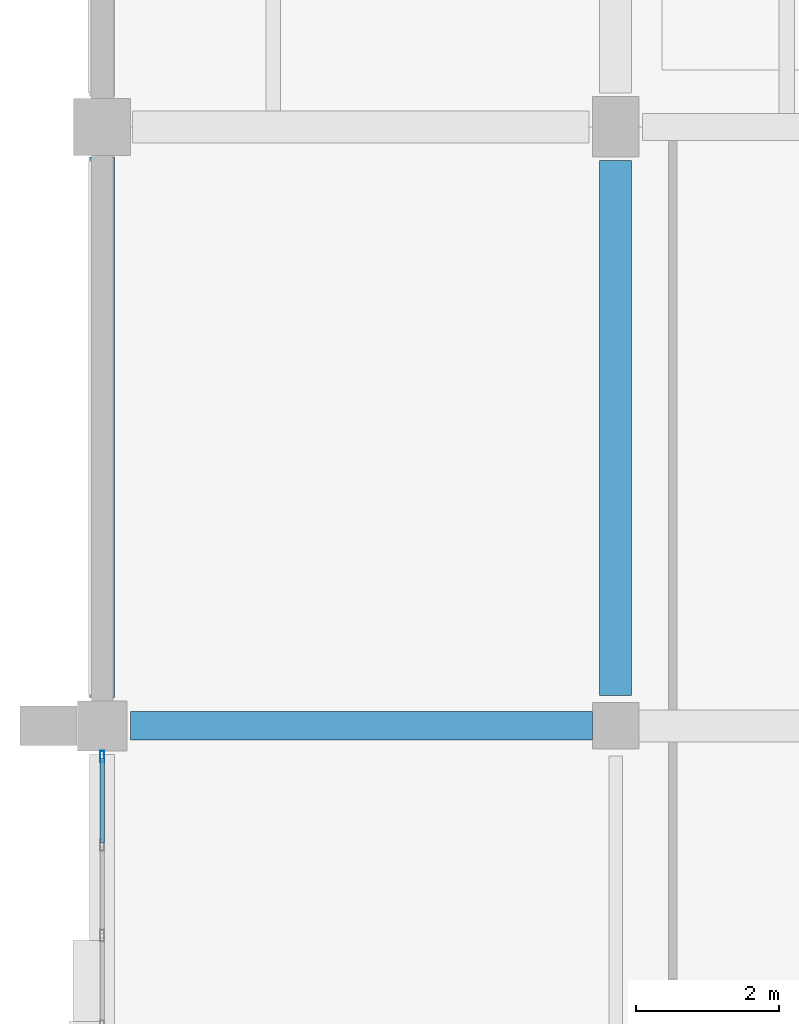
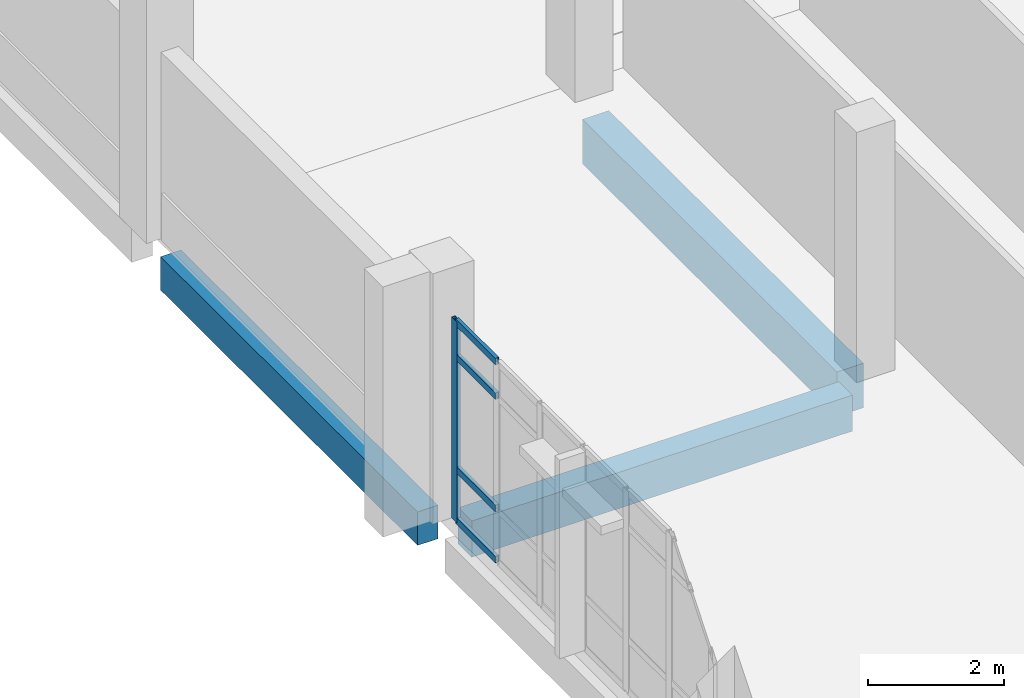
# One storey, part 59 of 124: 5 members, 3 beams, 1 element without a shape of its own.
"""IFC4 building model written with IfcOpenShell, lengths in metres."""

from ifc_helpers import new_model, si_unit, direction, frame, origin, origin_2d, place, context, subcontext, project, spatial, rectangle, hollow_rectangle, extrude, material, material_profile, profile_set, type_object, element, aggregate, save


model = new_model("IFC4")

# Units and contexts
model_context = context("Model", 3, precision=1e-05, world=origin(), true_north=direction((0.0, 1.0)))
body_context = subcontext(model_context, "Body", "Model", "MODEL_VIEW")
ifc_project = project(units=[si_unit("LENGTHUNIT", "METRE"), si_unit("AREAUNIT", "SQUARE_METRE"), si_unit("VOLUMEUNIT", "CUBIC_METRE"), si_unit("PLANEANGLEUNIT", "RADIAN"), si_unit("MASSUNIT", "GRAM", prefix="KILO")], contexts=[model_context])

# Site, building, storey
site_placement = place(None, origin())
site = spatial("IfcSite", under=ifc_project, at=site_placement, CompositionType="ELEMENT")
building_placement = place(site_placement, origin())
building = spatial("IfcBuilding", under=site, at=building_placement, Name="Kalluvel Institute of Natural Sciences", CompositionType="ELEMENT")
storey_placement = place(building_placement, frame((0.0, 0.0, 9.89990234375)))
storey = spatial("IfcBuildingStorey", under=building, at=storey_placement, Name="L02", CompositionType="ELEMENT", Elevation=9.89990234375)

# Beams
ifc_material_1 = material(Name="Concrete M40", Category="concrete")
ifc_material_profile_1 = material_profile(ifc_material_1, rectangle(XDim=0.39990234375, YDim=0.64990234375, at=origin_2d()), Name="RCB 400x650")
ifc_profile_set_1 = profile_set([ifc_material_profile_1], Name="Concrete M40")
beam_type_1 = type_object("IfcBeamType", Name="BM-RC400x650", PredefinedType="BEAM", material=ifc_profile_set_1)
beam_1_placement = place(storey_placement, frame((14.39990234375, 94.39990234375, -0.625), z_axis=(1.0, 0.0, 0.0), x_axis=(0.0, 1.0, 0.0)))
element("IfcBeam", 1, at=beam_1_placement, inside=storey, type_object=beam_type_1, Name="L02 girder GIR-L02-EW-X140-Y944", PredefinedType="BEAM", context=body_context, shape_type="SweptSolid", body=[
    extrude(rectangle(XDim=0.39990234375, YDim=0.64990234375, at=origin_2d()), origin(), (0.0, 0.0, 1.0), 6.47509765625),
])
ifc_material_profile_2 = material_profile(ifc_material_1, rectangle(XDim=0.449951171875, YDim=0.800048828125, at=origin_2d()), Name="RCB 450x800")
ifc_profile_set_2 = profile_set([ifc_material_profile_2], Name="Concrete M40")
beam_type_2 = type_object("IfcBeamType", Name="BM-RC450x800", PredefinedType="BEAM", material=ifc_profile_set_2)
beam_2_placement = place(storey_placement, frame((21.199951171875, 94.824951171875, -0.699951171875), z_axis=(0.0, 1.0, 0.0), x_axis=(-1.0, 0.0, 0.0)))
element("IfcBeam", 2, at=beam_2_placement, inside=storey, type_object=beam_type_2, Name="L02 girder GIR-L02-NS-X212-Y944", PredefinedType="BEAM", context=body_context, shape_type="SweptSolid", body=[
    extrude(rectangle(XDim=0.449951171875, YDim=0.800048828125, at=origin_2d()), origin(), (0.0, 0.0, 1.0), 7.5),
])

# Curtain wall, members
ifc_material_2 = material(Name="Aluminium AW-6063 T6", Category="aluminium")
curtain_wall_type = type_object("IfcCurtainWallType", Name="CW-DRY-45", PredefinedType="USERDEFINED", material=ifc_material_2)
curtain_wall_placement = place(storey_placement, origin())
curtain_wall = element("IfcCurtainWall", 3, at=curtain_wall_placement, inside=storey, type_object=curtain_wall_type, Name="L02 Gothic lancet curtain wall CWA-L02-X140-Y864", ObjectType="UNITISED LANCET FACADE", PredefinedType="USERDEFINED")
ifc_material_profile_3 = material_profile(ifc_material_2, hollow_rectangle(XDim=0.06005859375, YDim=0.159912109375, WallThickness=0.00390625, at=origin_2d()), Name="CWM 60x160")
ifc_profile_set_3 = profile_set([ifc_material_profile_3], Name="Aluminium AW-6063 T6")
member_type_1 = type_object("IfcMemberType", Name="CWM-60x160", PredefinedType="MULLION", material=ifc_profile_set_3)
member_1_placement = place(storey_placement, frame((14.0, 93.969970703125, 0.0), z_axis=(0.0, 0.0, 1.0), x_axis=(-1.0, 0.0, 0.0)))
member_1 = element("IfcMember", 4, at=member_1_placement, type_object=member_type_1, Name="CW-03 mullion 7", PredefinedType="MULLION", context=body_context, shape_type="SweptSolid", body=[
    extrude(hollow_rectangle(XDim=0.06005859375, YDim=0.159912109375, WallThickness=0.00390625, at=origin_2d()), origin(), (0.0, 0.0, 1.0), 3.6201171875),
])
ifc_material_profile_4 = material_profile(ifc_material_2, hollow_rectangle(XDim=0.06005859375, YDim=0.1201171875, WallThickness=0.00390625, at=origin_2d()), Name="CWT 60x120")
ifc_profile_set_4 = profile_set([ifc_material_profile_4], Name="Aluminium AW-6063 T6")
member_type_2 = type_object("IfcMemberType", Name="CWT-60x120", PredefinedType="USERDEFINED", material=ifc_profile_set_4)
member_2_placement = place(storey_placement, frame((14.0, 92.75927734375, 0.030029296875), z_axis=(0.0, 1.0, 0.0), x_axis=(-1.0, 0.0, 0.0)))
member_2 = element("IfcMember", 5, at=member_2_placement, type_object=member_type_2, Name="CW-03 transom 6.1", ObjectType="TRANSOM", PredefinedType="USERDEFINED", context=body_context, shape_type="SweptSolid", body=[
    extrude(hollow_rectangle(XDim=0.06005859375, YDim=0.1201171875, WallThickness=0.00390625, at=origin_2d()), origin(), (0.0, 0.0, 1.0), 1.1806640625),
])
member_3_placement = place(storey_placement, frame((14.0, 92.75927734375, 0.9501953125), z_axis=(0.0, 1.0, 0.0), x_axis=(-1.0, 0.0, 0.0)))
member_3 = element("IfcMember", 6, at=member_3_placement, type_object=member_type_2, Name="CW-03 transom 6.2", ObjectType="TRANSOM", PredefinedType="USERDEFINED", context=body_context, shape_type="SweptSolid", body=[
    extrude(hollow_rectangle(XDim=0.06005859375, YDim=0.1201171875, WallThickness=0.00390625, at=origin_2d()), origin(), (0.0, 0.0, 1.0), 1.1806640625),
])
member_4_placement = place(storey_placement, frame((14.0, 92.75927734375, 2.97021484375), z_axis=(0.0, 1.0, 0.0), x_axis=(-1.0, 0.0, 0.0)))
member_4 = element("IfcMember", 7, at=member_4_placement, type_object=member_type_2, Name="CW-03 transom 6.3", ObjectType="TRANSOM", PredefinedType="USERDEFINED", context=body_context, shape_type="SweptSolid", body=[
    extrude(hollow_rectangle(XDim=0.06005859375, YDim=0.1201171875, WallThickness=0.00390625, at=origin_2d()), origin(), (0.0, 0.0, 1.0), 1.1806640625),
])
member_5_placement = place(storey_placement, frame((14.0, 92.75927734375, 3.590087890625), z_axis=(0.0, 1.0, 0.0), x_axis=(-1.0, 0.0, 0.0)))
member_5 = element("IfcMember", 8, at=member_5_placement, type_object=member_type_2, Name="CW-03 transom 6.4", ObjectType="TRANSOM", PredefinedType="USERDEFINED", context=body_context, shape_type="SweptSolid", body=[
    extrude(hollow_rectangle(XDim=0.06005859375, YDim=0.1201171875, WallThickness=0.00390625, at=origin_2d()), origin(), (0.0, 0.0, 1.0), 1.1806640625),
])
aggregate(curtain_wall, [member_1, member_2, member_3, member_4, member_5])

# Beam
ifc_material_profile_5 = material_profile(ifc_material_1, rectangle(XDim=0.35009765625, YDim=0.60009765625, at=origin_2d()), Name="RCB 350x600")
ifc_profile_set_5 = profile_set([ifc_material_profile_5], Name="Concrete M40")
beam_type_3 = type_object("IfcBeamType", Name="SP-RC350x600", PredefinedType="SPANDREL", material=ifc_profile_set_5)
beam_3_placement = place(storey_placement, frame((14.0, 94.800048828125, -0.599853515625), z_axis=(0.0, 1.0, 0.0), x_axis=(-1.0, 0.0, 0.0)))
element("IfcBeam", 9, at=beam_3_placement, inside=storey, type_object=beam_type_3, Name="L02 girder GIR-L02-NS-X140-Y944", PredefinedType="SPANDREL", context=body_context, shape_type="SweptSolid", body=[
    extrude(rectangle(XDim=0.35009765625, YDim=0.60009765625, at=origin_2d()), origin(), (0.0, 0.0, 1.0), 7.574951171875),
])

save(model, "model.ifc")
